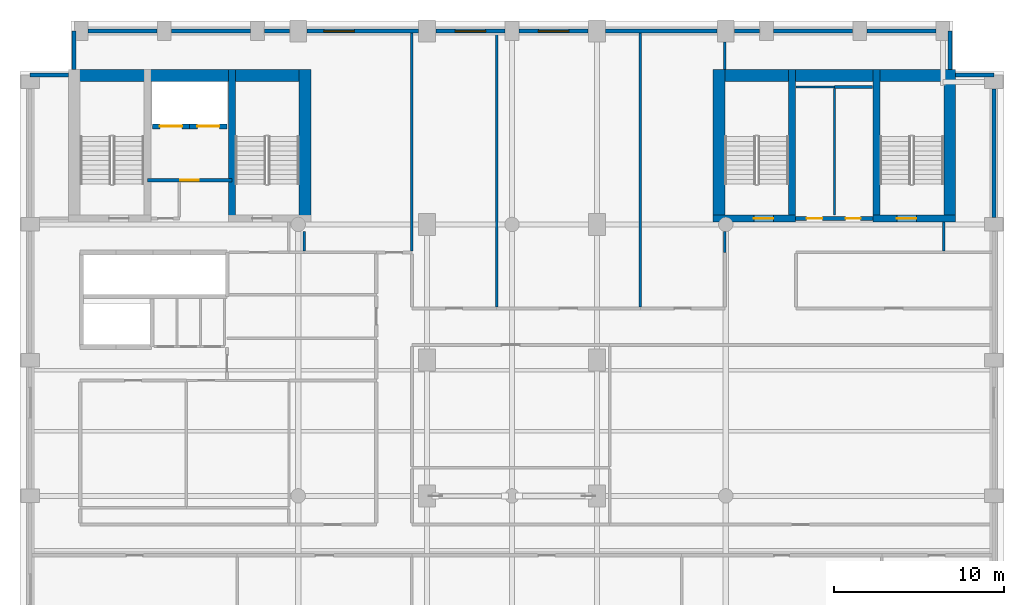
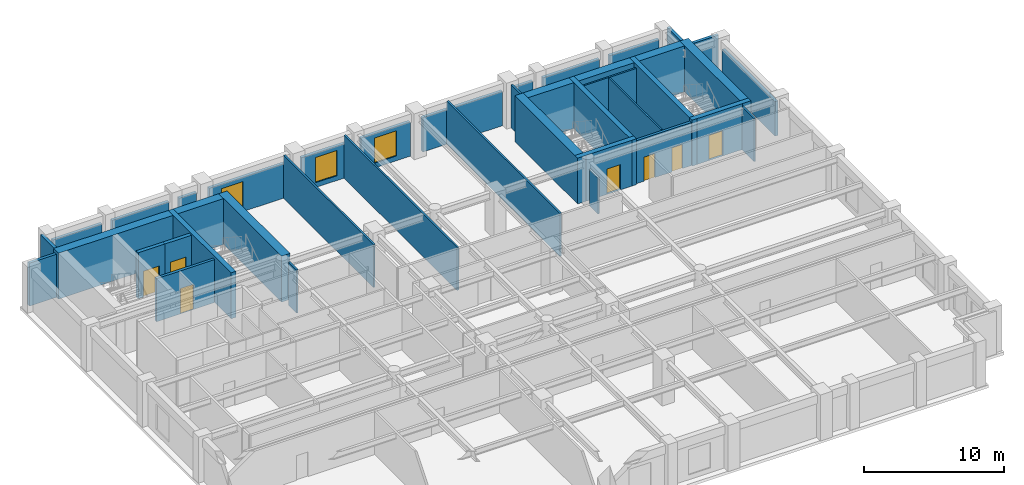
# One storey, part 7 of 10: 39 walls, 7 doors, 3 windows, 10 openings.
"""IFC4 building model written with IfcOpenShell, lengths in metres."""

import ifcopenshell
import ifcopenshell.guid

model = None  # the IFC model being written
_history = None  # IfcOwnerHistory: only IFC2X3 demands one
_inside = {}  # id of a spatial element -> (the spatial element, [elements in it])
_under = {}  # id of a project, library or spatial element -> (it, [spatial elements below it])
_declared = {}  # id of a project -> (the project, [libraries it declares])
_typed = {}  # id of a type object -> (the type object, [elements of that type])
_made_of = {}  # id of a material, layer set ... -> (it, [elements and type objects made of it])


def new_model(schema):
    """Start an empty IFC model of exactly this schema.

    Asked for "IFC4X3", IfcOpenShell would pick the latest addendum, in which some entities
    have other attributes; the version numbers below select the first issue.
    IFC2X3 requires an IfcOwnerHistory on every rooted entity: one is made here for all.
    """
    global model, _history
    if schema == "IFC4X3":
        model = ifcopenshell.file(schema_version=(4, 3, 0, 0))
    else:
        model = ifcopenshell.file(schema=schema)
    _inside.clear()
    _under.clear()
    _declared.clear()
    _typed.clear()
    _made_of.clear()
    _history = None
    if model.schema == "IFC2X3":
        org = make("IfcOrganization", Name="unknown")
        user = make(
            "IfcPersonAndOrganization",
            ThePerson=make("IfcPerson", FamilyName="unknown"),
            TheOrganization=org,
        )
        app = make(
            "IfcApplication",
            ApplicationDeveloper=org,
            Version="unknown",
            ApplicationFullName="unknown",
            ApplicationIdentifier="unknown",
        )
        _history = make(
            "IfcOwnerHistory",
            OwningUser=user,
            OwningApplication=app,
            ChangeAction="ADDED",
            CreationDate=0,
        )
    return model


def make(cls, **values):
    """One entity of the class cls with the attributes given. An attribute that is None is left unset."""
    return model.create_entity(
        cls, **{name: value for name, value in values.items() if value is not None}
    )


def rooted(cls, **values):
    """An entity with a GlobalId (a new one), such as an element, a storey or a relation."""
    return make(cls, GlobalId=ifcopenshell.guid.new(), OwnerHistory=_history, **values)


def si_unit(unit_type, name, prefix=None):
    """IfcSIUnit, for example si_unit("LENGTHUNIT", "METRE", prefix="MILLI")."""
    return make("IfcSIUnit", UnitType=unit_type, Prefix=prefix, Name=name)


def assignment(units):
    """IfcUnitAssignment: the units of a project."""
    return None if units is None else make("IfcUnitAssignment", Units=units)


def point(xyz):
    """IfcCartesianPoint."""
    return None if xyz is None else make("IfcCartesianPoint", Coordinates=xyz)


def direction(xyz):
    """IfcDirection."""
    return None if xyz is None else make("IfcDirection", DirectionRatios=xyz)


def frame(location, z_axis=None, x_axis=None):
    """IfcAxis2Placement3D, a coordinate frame: its origin and axes. An axis left out is left unset."""
    return make(
        "IfcAxis2Placement3D",
        Location=point(location),
        Axis=direction(z_axis),
        RefDirection=direction(x_axis),
    )


def frame_2d(location, x_axis=None):
    """IfcAxis2Placement2D, a coordinate frame in the plane: its origin and x axis."""
    return make(
        "IfcAxis2Placement2D", Location=point(location), RefDirection=direction(x_axis)
    )


def origin():
    """The frame at (0, 0, 0) with its axes left unset."""
    return frame((0.0, 0.0, 0.0))


def place(relative_to, where):
    """IfcLocalPlacement: puts the frame where relative to a parent placement (None: the world)."""
    return make(
        "IfcLocalPlacement", PlacementRelTo=relative_to, RelativePlacement=where
    )


def context(
    kind, dimensions, precision=None, world=None, true_north=None, identifier=None
):
    """IfcGeometricRepresentationContext, for example the 3D "Model" context."""
    return make(
        "IfcGeometricRepresentationContext",
        ContextIdentifier=identifier,
        ContextType=kind,
        CoordinateSpaceDimension=dimensions,
        Precision=precision,
        WorldCoordinateSystem=world,
        TrueNorth=true_north,
    )


def subcontext(parent, identifier, kind, view, scale=None):
    """IfcGeometricRepresentationSubContext, for example "Body" below "Model"."""
    return make(
        "IfcGeometricRepresentationSubContext",
        ContextIdentifier=identifier,
        ContextType=kind,
        ParentContext=parent,
        TargetScale=scale,
        TargetView=view,
    )


def project(units=None, contexts=None):
    """IfcProject with its units and contexts."""
    return rooted(
        "IfcProject",
        Name="project",
        RepresentationContexts=contexts,
        UnitsInContext=assignment(units),
    )


def spatial(cls, under=None, at=None, **own):
    """A site, building, storey or space (cls), placed at a placement, below another one or the project."""
    s = rooted(cls, ObjectPlacement=at, **own)
    if under is not None:
        _under.setdefault(under.id(), (under, []))[1].append(s)
    return s


def profile(cls, at=None, kind="AREA", **sizes):
    """A parametric profile (cls). Its sizes go by their IFC names, for example OverallWidth=200.0."""
    return make(cls, ProfileType=kind, Position=at, **sizes)


def rectangle(**sizes):
    """IfcRectangleProfileDef."""
    return profile("IfcRectangleProfileDef", **sizes)


def extrude(swept, where, along, depth):
    """IfcExtrudedAreaSolid: the profile swept, set in the frame where, extruded along a direction by depth."""
    return make(
        "IfcExtrudedAreaSolid",
        SweptArea=swept,
        Position=where,
        ExtrudedDirection=direction(along),
        Depth=depth,
    )


def shape(context_of_items, identifier, shape_type, items):
    """IfcShapeRepresentation: the items that make up one representation, for example the "Body"."""
    return make(
        "IfcShapeRepresentation",
        ContextOfItems=context_of_items,
        RepresentationIdentifier=identifier,
        RepresentationType=shape_type,
        Items=items,
    )


def material(Name=None, Category=None):
    """IfcMaterial."""
    return make("IfcMaterial", Name=Name, Category=Category)


def layer(
    of_material, thickness, ventilated=None, Name=None, Category=None, Priority=None
):
    """IfcMaterialLayer: one layer of a wall or slab, of a material (None: an air gap)."""
    return make(
        "IfcMaterialLayer",
        Material=of_material,
        LayerThickness=thickness,
        IsVentilated=ventilated,
        Name=Name,
        Category=Category,
        Priority=Priority,
    )


def layer_set(layers, Name=None):
    """IfcMaterialLayerSet."""
    return make("IfcMaterialLayerSet", MaterialLayers=layers, LayerSetName=Name)


def made_of(thing, what):
    """Note that an element or type object is made of a material, layer set ...; save() writes the relation."""
    if what is not None:
        _made_of.setdefault(what.id(), (what, []))[1].append(thing)
    return thing


def type_object(cls, material=None, **own):
    """A type object (cls), such as IfcWallType, which elements share."""
    return made_of(rooted(cls, **own), material)


def element(
    cls,
    number,
    at=None,
    inside=None,
    cuts=None,
    type_object=None,
    material=None,
    context=None,
    identifier="Body",
    shape_type=None,
    held_by="IfcProductDefinitionShape",
    body=None,
    shapes=None,
    **own,
):
    """One element of the class cls, such as IfcWall. Its Tag is "e" and its number.

    at: its placement. inside: the storey or other place that contains it. cuts: it is an
    opening in that element (IfcRelVoidsElement). A single representation is given by context,
    identifier, shape_type and body (its items); several are given by shapes. held_by: the class
    of the entity that holds the representations. save() writes the other relations.
    """
    e = rooted(cls, Tag="e%d" % number, ObjectPlacement=at, **own)
    if body is not None:
        shapes = [shape(context, identifier, shape_type, body)]
    if shapes is not None:
        e.Representation = make(held_by, Representations=shapes)
    if inside is not None:
        _inside.setdefault(inside.id(), (inside, []))[1].append(e)
    if cuts is not None:
        rooted(
            "IfcRelVoidsElement", RelatingBuildingElement=cuts, RelatedOpeningElement=e
        )
    if type_object is not None:
        _typed.setdefault(type_object.id(), (type_object, []))[1].append(e)
    return made_of(e, material)


def fill(opening, filler):
    """IfcRelFillsElement: the door or window that sits in an opening."""
    return rooted(
        "IfcRelFillsElement",
        RelatingOpeningElement=opening,
        RelatedBuildingElement=filler,
    )


def aggregate(whole, parts):
    """IfcRelAggregates: a whole, such as a stair, and the parts it consists of."""
    return rooted("IfcRelAggregates", RelatingObject=whole, RelatedObjects=parts)


def save(model, path):
    """Write the relations noted so far, then the file.

    IfcRelAggregates (storeys below a building ...), IfcRelContainedInSpatialStructure (elements
    in a storey), IfcRelDefinesByType, IfcRelAssociatesMaterial and IfcRelDeclares: one each for
    every whole, place, type object, material and project.
    """
    for whole, parts in _under.values():
        aggregate(whole, parts)
    for where, things in _inside.values():
        rooted(
            "IfcRelContainedInSpatialStructure",
            RelatedElements=things,
            RelatingStructure=where,
        )
    for kind, things in _typed.values():
        rooted("IfcRelDefinesByType", RelatedObjects=things, RelatingType=kind)
    for what, things in _made_of.values():
        rooted("IfcRelAssociatesMaterial", RelatedObjects=things, RelatingMaterial=what)
    for by, libraries in _declared.values():
        rooted("IfcRelDeclares", RelatingContext=by, RelatedDefinitions=libraries)
    model.write(path)


model = new_model("IFC4")

# Units and contexts
model_context = context("Model", 3, precision=1e-05, world=origin(), true_north=direction((0.0, 1.0)))
body_context = subcontext(model_context, "Body", "Model", "MODEL_VIEW")
ifc_project = project(units=[si_unit("LENGTHUNIT", "METRE"), si_unit("AREAUNIT", "SQUARE_METRE"), si_unit("VOLUMEUNIT", "CUBIC_METRE"), si_unit("PLANEANGLEUNIT", "RADIAN"), si_unit("MASSUNIT", "GRAM", prefix="KILO")], contexts=[model_context])

# Site, building, storey
site_placement = place(None, origin())
site = spatial("IfcSite", under=ifc_project, at=site_placement, CompositionType="ELEMENT")
building_placement = place(site_placement, origin())
building = spatial("IfcBuilding", under=site, at=building_placement, Name="Sulina Concourse Tower", CompositionType="ELEMENT")
storey_placement = place(building_placement, frame((0.0, 0.0, 214.60009765625)))
storey = spatial("IfcBuildingStorey", under=building, at=storey_placement, Name="L52", CompositionType="ELEMENT", Elevation=214.60009765625)

# Wall, opening, door
ifc_material_1 = material(Name="Concrete C50/60", Category="concrete")
ifc_layer_1 = layer(ifc_material_1, 0.300048828125)
ifc_layer_set_1 = layer_set([ifc_layer_1], Name="Concrete C50/60")
wall_type_1 = type_object("IfcWallType", Name="Core Lift Hoistway Wall 300mm", PredefinedType="SOLIDWALL", material=ifc_layer_set_1)
wall_1_placement = place(storey_placement, frame((10.0, 39.780029296875, 0.0), z_axis=(0.0, 0.0, 1.0), x_axis=(-1.0, 0.0, 0.0)))
wall_1 = element("IfcWall", 1, at=wall_1_placement, inside=storey, type_object=wall_type_1, Name="L52 hoistway enclosure wall FFL-1", PredefinedType="SOLIDWALL", context=body_context, shape_type="SweptSolid", body=[
    extrude(rectangle(XDim=2.199951171875, YDim=0.300048828125, at=frame_2d((1.10009765625, 0.0))), origin(), (0.0, 0.0, 1.0), 4.0),
])
opening_1_placement = place(wall_1_placement, frame((0.449951171875, 0.0, 0.0)))
opening_1 = element("IfcOpeningElement", 2, at=opening_1_placement, cuts=wall_1, Name="Opening LD-02", PredefinedType="OPENING", context=body_context, shape_type="SweptSolid", body=[
    extrude(rectangle(XDim=1.300048828125, YDim=2.25, at=frame_2d((0.64990234375, 1.125))), frame((0.0, 0.159912109375, 0.0), z_axis=(0.0, -1.0, 0.0), x_axis=(1.0, 0.0, 0.0)), (0.0, 0.0, 1.0), 0.320068359375),
])
ifc_material_2 = material(Name="Stainless steel lift landing door", Category="steel")
ifc_layer_2 = layer(ifc_material_2, 0.050048828125)
ifc_layer_set_2 = layer_set([ifc_layer_2], Name="Stainless steel lift landing door")
door_type_1 = type_object("IfcDoorType", Name="Firefighting Lift Sliding Landing Door 1300x2250", OperationType="SLIDING_TO_RIGHT", PredefinedType="DOOR", material=ifc_layer_set_2)
door_1_placement = place(opening_1_placement, origin())
door_1 = element("IfcDoor", 3, at=door_1_placement, inside=storey, type_object=door_type_1, Name="L52 lift landing sliding door FFL-1", OperationType="SLIDING_TO_LEFT", OverallHeight=2.25, OverallWidth=1.300048828125, PredefinedType="DOOR", context=body_context, shape_type="SweptSolid", body=[
    extrude(rectangle(XDim=1.300048828125, YDim=2.25, at=frame_2d((0.64990234375, 1.125))), frame((0.0, 0.02490234375, 0.0), z_axis=(0.0, -1.0, 0.0), x_axis=(1.0, 0.0, 0.0)), (0.0, 0.0, 1.0), 0.050048828125),
])
fill(opening_1, door_1)

wall_2_placement = place(storey_placement, frame((12.199951171875, 39.780029296875, 0.0), z_axis=(0.0, 0.0, 1.0), x_axis=(-1.0, 0.0, 0.0)))
wall_2 = element("IfcWall", 4, at=wall_2_placement, inside=storey, type_object=wall_type_1, Name="L52 hoistway enclosure wall FFL-2", PredefinedType="SOLIDWALL", context=body_context, shape_type="SweptSolid", body=[
    extrude(rectangle(XDim=2.199951171875, YDim=0.300048828125, at=frame_2d((1.10009765625, 0.0))), origin(), (0.0, 0.0, 1.0), 4.0),
])
opening_2_placement = place(wall_2_placement, frame((0.449951171875, 0.0, 0.0)))
opening_2 = element("IfcOpeningElement", 5, at=opening_2_placement, cuts=wall_2, Name="Opening LD-02", PredefinedType="OPENING", context=body_context, shape_type="SweptSolid", body=[
    extrude(rectangle(XDim=1.300048828125, YDim=2.25, at=frame_2d((0.64990234375, 1.125))), frame((0.0, 0.159912109375, 0.0), z_axis=(0.0, -1.0, 0.0), x_axis=(1.0, 0.0, 0.0)), (0.0, 0.0, 1.0), 0.320068359375),
])
door_2_placement = place(opening_2_placement, origin())
door_2 = element("IfcDoor", 6, at=door_2_placement, inside=storey, type_object=door_type_1, Name="L52 lift landing sliding door FFL-2", OperationType="SLIDING_TO_RIGHT", OverallHeight=2.25, OverallWidth=1.300048828125, PredefinedType="DOOR", context=body_context, shape_type="SweptSolid", body=[
    extrude(rectangle(XDim=1.300048828125, YDim=2.25, at=frame_2d((0.64990234375, 1.125))), frame((0.0, 0.02490234375, 0.0), z_axis=(0.0, -1.0, 0.0), x_axis=(1.0, 0.0, 0.0)), (0.0, 0.0, 1.0), 0.050048828125),
])
fill(opening_2, door_2)

# Walls
ifc_material_3 = material(Name="Precast concrete C50/60", Category="concrete")
ifc_layer_3 = layer(ifc_material_3, 0.239990234375)
ifc_layer_set_3 = layer_set([ifc_layer_3], Name="Precast concrete C50/60")
wall_type_2 = type_object("IfcWallType", Name="Crown Precast Masonry-Frame Facade Wall 240mm", PredefinedType="SOLIDWALL", material=ifc_layer_set_3)
wall_3_placement = place(storey_placement, frame((4.02001953125, 45.39990234375, 0.0), z_axis=(0.0, 0.0, 1.0), x_axis=(1.0, 0.0, 0.0)))
element("IfcWall", 7, at=wall_3_placement, inside=storey, type_object=wall_type_2, Name="L52 exterior precast wall N1", PredefinedType="SOLIDWALL", context=body_context, shape_type="SweptSolid", body=[
    extrude(rectangle(XDim=4.06005859375, YDim=0.239990234375, at=frame_2d((2.030029296875, 0.0))), origin(), (0.0, 0.0, 1.0), 3.0),
])
wall_4_placement = place(storey_placement, frame((8.919921875, 45.39990234375, 0.0), z_axis=(0.0, 0.0, 1.0), x_axis=(1.0, 0.0, 0.0)))
element("IfcWall", 8, at=wall_4_placement, inside=storey, type_object=wall_type_2, Name="L52 exterior precast wall N2", PredefinedType="SOLIDWALL", context=body_context, shape_type="SweptSolid", body=[
    extrude(rectangle(XDim=4.66015625, YDim=0.239990234375, at=frame_2d((2.330078125, 0.0))), origin(), (0.0, 0.0, 1.0), 3.0),
])
wall_5_placement = place(storey_placement, frame((14.419921875, 45.39990234375, 0.0), z_axis=(0.0, 0.0, 1.0), x_axis=(1.0, 0.0, 0.0)))
element("IfcWall", 9, at=wall_5_placement, inside=storey, type_object=wall_type_2, Name="L52 exterior precast wall N3", PredefinedType="SOLIDWALL", context=body_context, shape_type="SweptSolid", body=[
    extrude(rectangle(XDim=1.4599609375, YDim=0.239990234375, at=frame_2d((0.72998046875, 0.0))), origin(), (0.0, 0.0, 1.0), 3.0),
])

# Wall, opening, window
wall_6_placement = place(storey_placement, frame((16.919921875, 45.39990234375, 0.0), z_axis=(0.0, 0.0, 1.0), x_axis=(1.0, 0.0, 0.0)))
wall_6 = element("IfcWall", 10, at=wall_6_placement, inside=storey, type_object=wall_type_2, Name="L52 exterior precast wall N4", PredefinedType="SOLIDWALL", context=body_context, shape_type="SweptSolid", body=[
    extrude(rectangle(XDim=6.56005859375, YDim=0.239990234375, at=frame_2d((3.280029296875, 0.0))), origin(), (0.0, 0.0, 1.0), 3.0),
])
opening_3_placement = place(wall_6_placement, frame((0.98681640625, 0.0, 0.419921875)))
opening_3 = element("IfcOpeningElement", 11, at=opening_3_placement, cuts=wall_6, Name="Opening WN-25", PredefinedType="OPENING", context=body_context, shape_type="SweptSolid", body=[
    extrude(rectangle(XDim=1.800048828125, YDim=2.199951171875, at=frame_2d((0.89990234375, 1.10009765625))), frame((0.0, 0.1298828125, 0.0), z_axis=(0.0, -1.0, 0.0), x_axis=(1.0, 0.0, 0.0)), (0.0, 0.0, 1.0), 0.260009765625),
])
ifc_material_4 = material(Name="Low-E solar double glazing in bronze aluminium", Category="aluminium")
window_type = type_object("IfcWindowType", Name="Punched Masonry-Frame Window 1800x2200", PartitioningType="SINGLE_PANEL", PredefinedType="WINDOW", material=ifc_material_4)
window_1_placement = place(opening_3_placement, origin())
window_1 = element("IfcWindow", 12, at=window_1_placement, inside=storey, type_object=window_type, Name="L52 punched window N4-1", OverallHeight=2.199951171875, OverallWidth=1.800048828125, PartitioningType="SINGLE_PANEL", PredefinedType="WINDOW", context=body_context, shape_type="SweptSolid", body=[
    extrude(rectangle(XDim=1.800048828125, YDim=2.199951171875, at=frame_2d((0.89990234375, 1.10009765625))), frame((0.0, 0.030029296875, 0.0), z_axis=(0.0, -1.0, 0.0), x_axis=(1.0, 0.0, 0.0)), (0.0, 0.0, 1.0), 0.06005859375),
])
fill(opening_3, window_1)

wall_7_placement = place(storey_placement, frame((24.52001953125, 45.39990234375, 0.0), z_axis=(0.0, 0.0, 1.0), x_axis=(1.0, 0.0, 0.0)))
wall_7 = element("IfcWall", 13, at=wall_7_placement, inside=storey, type_object=wall_type_2, Name="L52 exterior precast wall N5", PredefinedType="SOLIDWALL", context=body_context, shape_type="SweptSolid", body=[
    extrude(rectangle(XDim=4.06005859375, YDim=0.239990234375, at=frame_2d((2.030029296875, 0.0))), origin(), (0.0, 0.0, 1.0), 3.0),
])
opening_4_placement = place(wall_7_placement, frame((1.1298828125, 0.0, 0.419921875)))
opening_4 = element("IfcOpeningElement", 14, at=opening_4_placement, cuts=wall_7, Name="Opening WN-25", PredefinedType="OPENING", context=body_context, shape_type="SweptSolid", body=[
    extrude(rectangle(XDim=1.800048828125, YDim=2.199951171875, at=frame_2d((0.89990234375, 1.10009765625))), frame((0.0, 0.1298828125, 0.0), z_axis=(0.0, -1.0, 0.0), x_axis=(1.0, 0.0, 0.0)), (0.0, 0.0, 1.0), 0.260009765625),
])
window_2_placement = place(opening_4_placement, origin())
window_2 = element("IfcWindow", 15, at=window_2_placement, inside=storey, type_object=window_type, Name="L52 punched window N5-1", OverallHeight=2.199951171875, OverallWidth=1.800048828125, PartitioningType="SINGLE_PANEL", PredefinedType="WINDOW", context=body_context, shape_type="SweptSolid", body=[
    extrude(rectangle(XDim=1.800048828125, YDim=2.199951171875, at=frame_2d((0.89990234375, 1.10009765625))), frame((0.0, 0.030029296875, 0.0), z_axis=(0.0, -1.0, 0.0), x_axis=(1.0, 0.0, 0.0)), (0.0, 0.0, 1.0), 0.06005859375),
])
fill(opening_4, window_2)

wall_8_placement = place(storey_placement, frame((29.419921875, 45.39990234375, 0.0), z_axis=(0.0, 0.0, 1.0), x_axis=(1.0, 0.0, 0.0)))
wall_8 = element("IfcWall", 16, at=wall_8_placement, inside=storey, type_object=wall_type_2, Name="L52 exterior precast wall N6", PredefinedType="SOLIDWALL", context=body_context, shape_type="SweptSolid", body=[
    extrude(rectangle(XDim=4.06005859375, YDim=0.239990234375, at=frame_2d((2.030029296875, 0.0))), origin(), (0.0, 0.0, 1.0), 3.0),
])
opening_5_placement = place(wall_8_placement, frame((1.1298828125, 0.0, 0.419921875)))
opening_5 = element("IfcOpeningElement", 17, at=opening_5_placement, cuts=wall_8, Name="Opening WN-25", PredefinedType="OPENING", context=body_context, shape_type="SweptSolid", body=[
    extrude(rectangle(XDim=1.800048828125, YDim=2.199951171875, at=frame_2d((0.89990234375, 1.10009765625))), frame((0.0, 0.1298828125, 0.0), z_axis=(0.0, -1.0, 0.0), x_axis=(1.0, 0.0, 0.0)), (0.0, 0.0, 1.0), 0.260009765625),
])
window_3_placement = place(opening_5_placement, origin())
window_3 = element("IfcWindow", 18, at=window_3_placement, inside=storey, type_object=window_type, Name="L52 punched window N6-1", OverallHeight=2.199951171875, OverallWidth=1.800048828125, PartitioningType="SINGLE_PANEL", PredefinedType="WINDOW", context=body_context, shape_type="SweptSolid", body=[
    extrude(rectangle(XDim=1.800048828125, YDim=2.199951171875, at=frame_2d((0.89990234375, 1.10009765625))), frame((0.0, 0.030029296875, 0.0), z_axis=(0.0, -1.0, 0.0), x_axis=(1.0, 0.0, 0.0)), (0.0, 0.0, 1.0), 0.06005859375),
])
fill(opening_5, window_3)

# Walls
wall_9_placement = place(storey_placement, frame((34.52001953125, 45.39990234375, 0.0), z_axis=(0.0, 0.0, 1.0), x_axis=(1.0, 0.0, 0.0)))
element("IfcWall", 19, at=wall_9_placement, inside=storey, type_object=wall_type_2, Name="L52 exterior precast wall N7", PredefinedType="SOLIDWALL", context=body_context, shape_type="SweptSolid", body=[
    extrude(rectangle(XDim=6.56005859375, YDim=0.239990234375, at=frame_2d((3.280029296875, 0.0))), origin(), (0.0, 0.0, 1.0), 3.0),
])
wall_10_placement = place(storey_placement, frame((42.1201171875, 45.39990234375, 0.0), z_axis=(0.0, 0.0, 1.0), x_axis=(1.0, 0.0, 0.0)))
element("IfcWall", 20, at=wall_10_placement, inside=storey, type_object=wall_type_2, Name="L52 exterior precast wall N8", PredefinedType="SOLIDWALL", context=body_context, shape_type="SweptSolid", body=[
    extrude(rectangle(XDim=1.4599609375, YDim=0.239990234375, at=frame_2d((0.72998046875, 0.0))), origin(), (0.0, 0.0, 1.0), 3.0),
])
wall_11_placement = place(storey_placement, frame((44.419921875, 45.39990234375, 0.0), z_axis=(0.0, 0.0, 1.0), x_axis=(1.0, 0.0, 0.0)))
element("IfcWall", 21, at=wall_11_placement, inside=storey, type_object=wall_type_2, Name="L52 exterior precast wall N9", PredefinedType="SOLIDWALL", context=body_context, shape_type="SweptSolid", body=[
    extrude(rectangle(XDim=4.66015625, YDim=0.239990234375, at=frame_2d((2.330078125, 0.0))), origin(), (0.0, 0.0, 1.0), 3.0),
])
wall_12_placement = place(storey_placement, frame((49.919921875, 45.39990234375, 0.0), z_axis=(0.0, 0.0, 1.0), x_axis=(1.0, 0.0, 0.0)))
element("IfcWall", 22, at=wall_12_placement, inside=storey, type_object=wall_type_2, Name="L52 exterior precast wall N10", PredefinedType="SOLIDWALL", context=body_context, shape_type="SweptSolid", body=[
    extrude(rectangle(XDim=4.06005859375, YDim=0.239990234375, at=frame_2d((2.030029296875, 0.0))), origin(), (0.0, 0.0, 1.0), 3.0),
])
wall_13_placement = place(storey_placement, frame((57.39990234375, 41.97998046875, 0.0), z_axis=(0.0, 0.0, 1.0), x_axis=(0.0, -1.0, 0.0)))
element("IfcWall", 23, at=wall_13_placement, inside=storey, type_object=wall_type_2, Name="L52 exterior precast wall E5", PredefinedType="SOLIDWALL", context=body_context, shape_type="SweptSolid", body=[
    extrude(rectangle(XDim=7.56005859375, YDim=0.239990234375, at=frame_2d((3.780029296875, 0.0))), origin(), (0.0, 0.0, 1.0), 3.0),
])
wall_14_placement = place(storey_placement, frame((0.60009765625, 42.820068359375, 0.0), z_axis=(0.0, 0.0, 1.0), x_axis=(1.0, 0.0, 0.0)))
element("IfcWall", 24, at=wall_14_placement, inside=storey, type_object=wall_type_2, Name="L52 exterior precast wall CNW1", PredefinedType="SOLIDWALL", context=body_context, shape_type="SweptSolid", body=[
    extrude(rectangle(XDim=2.244873046875, YDim=0.239990234375, at=frame_2d((1.12255859375, 0.0))), origin(), (0.0, 0.0, 1.0), 3.75),
])
for number, where, z_axis, x_axis, name in (
    (25, (3.179931640625, 43.135009765625, 0.0), (0.0, 0.0, 1.0), (0.0, 1.0, 0.0), "L52 exterior precast wall CNW2"),
    (26, (54.820068359375, 45.39990234375, 0.0), (0.0, 0.0, 1.0), (0.0, -1.0, 0.0), "L52 exterior precast wall CNE1"),
):
    element("IfcWall", number, at=place(storey_placement, frame(where, z_axis=z_axis, x_axis=x_axis)), inside=storey, type_object=wall_type_2, Name=name, PredefinedType="SOLIDWALL", context=body_context, shape_type="SweptSolid", body=[
        extrude(rectangle(XDim=2.264892578125, YDim=0.239990234375, at=frame_2d((1.13232421875, 0.0))), origin(), (0.0, 0.0, 1.0), 3.75),
    ])
wall_15_placement = place(storey_placement, frame((55.155029296875, 42.820068359375, 0.0), z_axis=(0.0, 0.0, 1.0), x_axis=(1.0, 0.0, 0.0)))
element("IfcWall", 27, at=wall_15_placement, inside=storey, type_object=wall_type_2, Name="L52 exterior precast wall CNE2", PredefinedType="SOLIDWALL", context=body_context, shape_type="SweptSolid", body=[
    extrude(rectangle(XDim=2.244873046875, YDim=0.239990234375, at=frame_2d((1.12255859375, 0.0))), origin(), (0.0, 0.0, 1.0), 3.75),
])

# Wall, opening, door
ifc_material_5 = material(Name="Gypsum board on steel stud", Category="steel")
ifc_layer_4 = layer(ifc_material_5, 0.219970703125)
ifc_layer_set_4 = layer_set([ifc_layer_4], Name="Gypsum board on steel stud")
wall_type_3 = type_object("IfcWallType", Name="Fire-Rated Lobby & Compartment Wall 220mm", PredefinedType="PARTITIONING", material=ifc_layer_set_4)
wall_16_placement = place(storey_placement, frame((7.510009765625, 36.60009765625, 0.0), z_axis=(0.0, 0.0, 1.0), x_axis=(1.0, 0.0, 0.0)))
wall_16 = element("IfcWall", 28, at=wall_16_placement, inside=storey, type_object=wall_type_3, Name="L52 firefighting lobby south fire wall", PredefinedType="PARTITIONING", context=body_context, shape_type="SweptSolid", body=[
    extrude(rectangle(XDim=4.97998046875, YDim=0.219970703125, at=frame_2d((2.489990234375, 0.0))), origin(), (0.0, 0.0, 1.0), 3.75),
])
opening_6_placement = place(wall_16_placement, frame((1.93994140625, 0.0, 0.0)))
opening_6 = element("IfcOpeningElement", 29, at=opening_6_placement, cuts=wall_16, Name="Opening DR-47", PredefinedType="OPENING", context=body_context, shape_type="SweptSolid", body=[
    extrude(rectangle(XDim=1.10009765625, YDim=2.199951171875, at=frame_2d((0.550048828125, 1.10009765625))), frame((0.0, 0.119873046875, 0.0), z_axis=(0.0, -1.0, 0.0), x_axis=(1.0, 0.0, 0.0)), (0.0, 0.0, 1.0), 0.239990234375),
])
ifc_material_6 = material(Name="Galvanised steel acoustic fire leaf", Category="steel")
ifc_layer_5 = layer(ifc_material_6, 0.054931640625)
ifc_layer_set_5 = layer_set([ifc_layer_5], Name="Galvanised steel acoustic fire leaf")
door_type_2 = type_object("IfcDoorType", Name="Firefighting Lobby Fire Door 1100x2200", OperationType="NOTDEFINED", PredefinedType="DOOR", material=ifc_layer_set_5)
door_3_placement = place(opening_6_placement, origin())
door_3 = element("IfcDoor", 30, at=door_3_placement, inside=storey, type_object=door_type_2, Name="L52 firefighting lobby fire door", OperationType="SINGLE_SWING_LEFT", OverallHeight=2.199951171875, OverallWidth=1.10009765625, PredefinedType="DOOR", context=body_context, shape_type="SweptSolid", body=[
    extrude(rectangle(XDim=1.10009765625, YDim=2.199951171875, at=frame_2d((0.550048828125, 1.10009765625))), frame((0.0, 0.02490234375, 0.0), z_axis=(0.0, -1.0, 0.0), x_axis=(1.0, 0.0, 0.0)), (0.0, 0.0, 1.0), 0.050048828125),
])
fill(opening_6, door_3)

# Wall, openings, doors
wall_17_placement = place(storey_placement, frame((45.719970703125, 34.35009765625, 0.0), z_axis=(0.0, 0.0, 1.0), x_axis=(1.0, 0.0, 0.0)))
wall_17 = element("IfcWall", 31, at=wall_17_placement, inside=storey, type_object=wall_type_3, Name="L52 east core south lobby wall", PredefinedType="PARTITIONING", context=body_context, shape_type="SweptSolid", body=[
    extrude(rectangle(XDim=4.56005859375, YDim=0.219970703125, at=frame_2d((2.280029296875, 0.0))), origin(), (0.0, 0.0, 1.0), 3.75),
])
opening_7_placement = place(wall_17_placement, frame((0.64990234375, 0.0, 0.0)))
opening_7 = element("IfcOpeningElement", 32, at=opening_7_placement, cuts=wall_17, Name="Opening DR-61", PredefinedType="OPENING", context=body_context, shape_type="SweptSolid", body=[
    extrude(rectangle(XDim=0.919921875, YDim=2.10009765625, at=frame_2d((0.4599609375, 1.050048828125))), frame((0.0, 0.119873046875, 0.0), z_axis=(0.0, -1.0, 0.0), x_axis=(1.0, 0.0, 0.0)), (0.0, 0.0, 1.0), 0.239990234375),
])
opening_8_placement = place(wall_17_placement, frame((2.949951171875, 0.0, 0.0)))
opening_8 = element("IfcOpeningElement", 33, at=opening_8_placement, cuts=wall_17, Name="Opening DR-38", PredefinedType="OPENING", context=body_context, shape_type="SweptSolid", body=[
    extrude(rectangle(XDim=0.8798828125, YDim=2.10009765625, at=frame_2d((0.43994140625, 1.050048828125))), frame((0.0, 0.119873046875, 0.0), z_axis=(0.0, -1.0, 0.0), x_axis=(1.0, 0.0, 0.0)), (0.0, 0.0, 1.0), 0.239990234375),
])
ifc_material_7 = material(Name="Oak-veneered fire door leaf")
ifc_layer_6 = layer(ifc_material_7, 0.050048828125)
ifc_layer_set_6 = layer_set([ifc_layer_6], Name="Oak-veneered fire door leaf")
door_type_3 = type_object("IfcDoorType", Name="Accessible WC Door 920x2100", OperationType="NOTDEFINED", PredefinedType="DOOR", material=ifc_layer_set_6)
door_4_placement = place(opening_7_placement, origin())
door_4 = element("IfcDoor", 34, at=door_4_placement, inside=storey, type_object=door_type_3, Name="L52 east core accessible wc door", OperationType="SINGLE_SWING_LEFT", OverallHeight=2.10009765625, OverallWidth=0.919921875, PredefinedType="DOOR", context=body_context, shape_type="SweptSolid", body=[
    extrude(rectangle(XDim=0.919921875, YDim=2.10009765625, at=frame_2d((0.4599609375, 1.050048828125))), frame((0.0, 0.02490234375, 0.0), z_axis=(0.0, -1.0, 0.0), x_axis=(1.0, 0.0, 0.0)), (0.0, 0.0, 1.0), 0.050048828125),
])
fill(opening_7, door_4)
ifc_material_8 = material(Name="Galvanised steel acoustic fire leaf", Category="steel")
ifc_layer_7 = layer(ifc_material_8, 0.050048828125)
ifc_layer_set_7 = layer_set([ifc_layer_7], Name="Galvanised steel acoustic fire leaf")
door_type_4 = type_object("IfcDoorType", Name="Service Riser Fire Door 880x2100", OperationType="NOTDEFINED", PredefinedType="DOOR", material=ifc_layer_set_7)
door_5_placement = place(opening_8_placement, origin())
door_5 = element("IfcDoor", 35, at=door_5_placement, inside=storey, type_object=door_type_4, Name="L52 east core store door", OperationType="SINGLE_SWING_RIGHT", OverallHeight=2.10009765625, OverallWidth=0.8798828125, PredefinedType="DOOR", context=body_context, shape_type="SweptSolid", body=[
    extrude(rectangle(XDim=0.8798828125, YDim=2.10009765625, at=frame_2d((0.43994140625, 1.050048828125))), frame((0.0, 0.02490234375, 0.0), z_axis=(0.0, -1.0, 0.0), x_axis=(1.0, 0.0, 0.0)), (0.0, 0.0, 1.0), 0.050048828125),
])
fill(opening_8, door_5)

# Walls
ifc_material_9 = material(Name="Gypsum board on steel stud", Category="steel")
ifc_layer_8 = layer(ifc_material_9, 0.14990234375)
ifc_layer_set_8 = layer_set([ifc_layer_8], Name="Gypsum board on steel stud")
wall_type_4 = type_object("IfcWallType", Name="Inter-Tenancy Acoustic Partition 150mm", PredefinedType="PARTITIONING", material=ifc_layer_set_8)
wall_18_placement = place(storey_placement, frame((48.0, 42.10009765625, 0.0), z_axis=(0.0, 0.0, 1.0), x_axis=(1.0, 0.0, 0.0)))
element("IfcWall", 36, at=wall_18_placement, inside=storey, type_object=wall_type_4, Name="L52 interior partition 037", PredefinedType="PARTITIONING", context=body_context, shape_type="SweptSolid", body=[
    extrude(rectangle(XDim=2.25, YDim=0.14990234375, at=frame_2d((1.125, 0.0))), origin(), (0.0, 0.0, 1.0), 3.75),
])
wall_19_placement = place(storey_placement, frame((16.75, 32.425048828125, 0.0), z_axis=(0.0, 0.0, 1.0), x_axis=(0.0, 1.0, 0.0)))
element("IfcWall", 37, at=wall_19_placement, inside=storey, type_object=wall_type_4, Name="L52 interior partition 050", PredefinedType="PARTITIONING", context=body_context, shape_type="SweptSolid", body=[
    extrude(rectangle(XDim=1.14990234375, YDim=0.14990234375, at=frame_2d((0.574951171875, 0.0))), origin(), (0.0, 0.0, 1.0), 3.75),
])
wall_20_placement = place(storey_placement, frame((23.10009765625, 32.43994140625, 0.0), z_axis=(0.0, 0.0, 1.0), x_axis=(0.0, 1.0, 0.0)))
element("IfcWall", 38, at=wall_20_placement, inside=storey, type_object=wall_type_4, Name="L52 interior partition 059", PredefinedType="PARTITIONING", context=body_context, shape_type="SweptSolid", body=[
    extrude(rectangle(XDim=12.840087890625, YDim=0.14990234375, at=frame_2d((6.419921875, 0.0))), origin(), (0.0, 0.0, 1.0), 3.75),
])
for number, where, z_axis, x_axis, name in (
    (39, (28.090087890625, 29.139892578125, 0.0), (0.0, 0.0, 1.0), (0.0, 1.0, 0.0), "L52 interior partition 060"),
    (40, (36.56005859375, 29.139892578125, 0.0), (0.0, 0.0, 1.0), (0.0, 1.0, 0.0), "L52 interior partition 063"),
):
    element("IfcWall", number, at=place(storey_placement, frame(where, z_axis=z_axis, x_axis=x_axis)), inside=storey, type_object=wall_type_4, Name=name, PredefinedType="PARTITIONING", context=body_context, shape_type="SweptSolid", body=[
        extrude(rectangle(XDim=16.14013671875, YDim=0.14990234375, at=frame_2d((8.070068359375, 0.0))), origin(), (0.0, 0.0, 1.0), 3.75),
    ])
wall_21_placement = place(storey_placement, frame((41.550048828125, 32.35009765625, 0.0), z_axis=(0.0, 0.0, 1.0), x_axis=(0.0, 1.0, 0.0)))
element("IfcWall", 41, at=wall_21_placement, inside=storey, type_object=wall_type_4, Name="L52 interior partition 066", PredefinedType="PARTITIONING", context=body_context, shape_type="SweptSolid", body=[
    extrude(rectangle(XDim=1.224853515625, YDim=0.14990234375, at=frame_2d((0.6123046875, 0.0))), origin(), (0.0, 0.0, 1.0), 3.14501953125),
])
wall_22_placement = place(storey_placement, frame((41.550048828125, 43.1298828125, 0.0), z_axis=(0.0, 0.0, 1.0), x_axis=(0.0, 1.0, 0.0)))
element("IfcWall", 42, at=wall_22_placement, inside=storey, type_object=wall_type_4, Name="L52 interior partition 067", PredefinedType="PARTITIONING", context=body_context, shape_type="SweptSolid", body=[
    extrude(rectangle(XDim=1.6201171875, YDim=0.14990234375, at=frame_2d((0.81005859375, 0.0))), origin(), (0.0, 0.0, 1.0), 3.75),
])
wall_23_placement = place(storey_placement, frame((54.449951171875, 32.425048828125, 0.0), z_axis=(0.0, 0.0, 1.0), x_axis=(0.0, 1.0, 0.0)))
element("IfcWall", 43, at=wall_23_placement, inside=storey, type_object=wall_type_4, Name="L52 interior partition 071", PredefinedType="PARTITIONING", context=body_context, shape_type="SweptSolid", body=[
    extrude(rectangle(XDim=1.724853515625, YDim=0.14990234375, at=frame_2d((0.8623046875, 0.0))), origin(), (0.0, 0.0, 1.0), 3.75),
])
ifc_material_10 = material(Name="Concrete C60/75", Category="concrete")
ifc_layer_9 = layer(ifc_material_10, 0.39990234375)
ifc_layer_set_9 = layer_set([ifc_layer_9], Name="Concrete C60/75")
wall_type_5 = type_object("IfcWallType", Name="Protected Stair Core Shear Wall 400mm", PredefinedType="SHEAR", material=ifc_layer_set_9)
wall_24_placement = place(storey_placement, frame((12.489990234375, 34.14990234375, 0.0), z_axis=(0.0, 0.0, 1.0), x_axis=(0.0, 1.0, 0.0)))
element("IfcWall", 44, at=wall_24_placement, inside=storey, type_object=wall_type_5, Name="L52 west core shear wall SW-ST2", PredefinedType="SHEAR", context=body_context, shape_type="SweptSolid", body=[
    extrude(rectangle(XDim=8.97998046875, YDim=0.39990234375, at=frame_2d((4.489990234375, 0.0))), origin(), (0.0, 0.0, 1.0), 4.0),
])

# Wall, opening, door
wall_25_placement = place(storey_placement, frame((40.85009765625, 34.35009765625, 0.0), z_axis=(0.0, 0.0, 1.0), x_axis=(1.0, 0.0, 0.0)))
wall_25 = element("IfcWall", 45, at=wall_25_placement, inside=storey, type_object=wall_type_5, Name="L52 east core shear wall CW-ES1", PredefinedType="SHEAR", context=body_context, shape_type="SweptSolid", body=[
    extrude(rectangle(XDim=4.85986328125, YDim=0.39990234375, at=frame_2d((2.429931640625, 0.0))), origin(), (0.0, 0.0, 1.0), 4.0),
])
opening_9_placement = place(wall_25_placement, frame((2.39990234375, 0.0, 0.0)))
opening_9 = element("IfcOpeningElement", 46, at=opening_9_placement, cuts=wall_25, Name="Opening DR-60", PredefinedType="OPENING", context=body_context, shape_type="SweptSolid", body=[
    extrude(rectangle(XDim=1.14990234375, YDim=2.199951171875, at=frame_2d((0.574951171875, 1.10009765625))), frame((0.0, 0.2099609375, 0.0), z_axis=(0.0, -1.0, 0.0), x_axis=(1.0, 0.0, 0.0)), (0.0, 0.0, 1.0), 0.419921875),
])
ifc_material_11 = material(Name="Galvanised steel acoustic fire leaf", Category="steel")
ifc_layer_10 = layer(ifc_material_11, 0.054931640625)
ifc_layer_set_10 = layer_set([ifc_layer_10], Name="Galvanised steel acoustic fire leaf")
door_type_5 = type_object("IfcDoorType", Name="Protected Exit Stair Fire Door 1150x2200", OperationType="NOTDEFINED", PredefinedType="DOOR", material=ifc_layer_set_10)
door_6_placement = place(opening_9_placement, origin())
door_6 = element("IfcDoor", 47, at=door_6_placement, inside=storey, type_object=door_type_5, Name="L52 stair ST-3 south lobby fire door", OperationType="SINGLE_SWING_RIGHT", OverallHeight=2.199951171875, OverallWidth=1.14990234375, PredefinedType="DOOR", context=body_context, shape_type="SweptSolid", body=[
    extrude(rectangle(XDim=1.14990234375, YDim=2.199951171875, at=frame_2d((0.574951171875, 1.10009765625))), frame((0.0, 0.02490234375, 0.0), z_axis=(0.0, -1.0, 0.0), x_axis=(1.0, 0.0, 0.0)), (0.0, 0.0, 1.0), 0.050048828125),
])
fill(opening_9, door_6)

# Wall
wall_26_placement = place(storey_placement, frame((45.510009765625, 34.14990234375, 0.0), z_axis=(0.0, 0.0, 1.0), x_axis=(0.0, 1.0, 0.0)))
element("IfcWall", 48, at=wall_26_placement, inside=storey, type_object=wall_type_5, Name="L52 east core shear wall SW-ST3", PredefinedType="SHEAR", context=body_context, shape_type="SweptSolid", body=[
    extrude(rectangle(XDim=8.97998046875, YDim=0.39990234375, at=frame_2d((4.489990234375, 0.0))), origin(), (0.0, 0.0, 1.0), 4.0),
])

# Wall, opening, door
wall_27_placement = place(storey_placement, frame((50.2900390625, 34.35009765625, 0.0), z_axis=(0.0, 0.0, 1.0), x_axis=(1.0, 0.0, 0.0)))
wall_27 = element("IfcWall", 49, at=wall_27_placement, inside=storey, type_object=wall_type_5, Name="L52 east core shear wall CW-ES2", PredefinedType="SHEAR", context=body_context, shape_type="SweptSolid", body=[
    extrude(rectangle(XDim=4.85986328125, YDim=0.39990234375, at=frame_2d((2.429931640625, 0.0))), origin(), (0.0, 0.0, 1.0), 4.0),
])
opening_10_placement = place(wall_27_placement, frame((1.39990234375, 0.0, 0.0)))
opening_10 = element("IfcOpeningElement", 50, at=opening_10_placement, cuts=wall_27, Name="Opening DR-60", PredefinedType="OPENING", context=body_context, shape_type="SweptSolid", body=[
    extrude(rectangle(XDim=1.14990234375, YDim=2.199951171875, at=frame_2d((0.574951171875, 1.10009765625))), frame((0.0, 0.2099609375, 0.0), z_axis=(0.0, -1.0, 0.0), x_axis=(1.0, 0.0, 0.0)), (0.0, 0.0, 1.0), 0.419921875),
])
door_7_placement = place(opening_10_placement, origin())
door_7 = element("IfcDoor", 51, at=door_7_placement, inside=storey, type_object=door_type_5, Name="L52 stair ST-4 south lobby fire door", OperationType="SINGLE_SWING_LEFT", OverallHeight=2.199951171875, OverallWidth=1.14990234375, PredefinedType="DOOR", context=body_context, shape_type="SweptSolid", body=[
    extrude(rectangle(XDim=1.14990234375, YDim=2.199951171875, at=frame_2d((0.574951171875, 1.10009765625))), frame((0.0, 0.02490234375, 0.0), z_axis=(0.0, -1.0, 0.0), x_axis=(1.0, 0.0, 0.0)), (0.0, 0.0, 1.0), 0.050048828125),
])
fill(opening_10, door_7)

# Walls
wall_28_placement = place(storey_placement, frame((50.489990234375, 34.14990234375, 0.0), z_axis=(0.0, 0.0, 1.0), x_axis=(0.0, 1.0, 0.0)))
element("IfcWall", 52, at=wall_28_placement, inside=storey, type_object=wall_type_5, Name="L52 east core shear wall SW-ST4", PredefinedType="SHEAR", context=body_context, shape_type="SweptSolid", body=[
    extrude(rectangle(XDim=8.97998046875, YDim=0.39990234375, at=frame_2d((4.489990234375, 0.0))), origin(), (0.0, 0.0, 1.0), 4.0),
])
ifc_material_12 = material(Name="Concrete C60/75", Category="concrete")
ifc_layer_11 = layer(ifc_material_12, 0.699951171875)
ifc_layer_set_11 = layer_set([ifc_layer_11], Name="Concrete C60/75")
wall_type_6 = type_object("IfcWallType", Name="Rear Core Shear Wall 700mm", PredefinedType="SHEAR", material=ifc_layer_set_11)
wall_29_placement = place(storey_placement, frame((2.85009765625, 42.780029296875, 0.0), z_axis=(0.0, 0.0, 1.0), x_axis=(1.0, 0.0, 0.0)))
element("IfcWall", 53, at=wall_29_placement, inside=storey, type_object=wall_type_6, Name="L52 west core shear wall CW-WN", PredefinedType="SHEAR", context=body_context, shape_type="SweptSolid", body=[
    extrude(rectangle(XDim=14.2998046875, YDim=0.699951171875, at=frame_2d((7.14990234375, 0.0))), origin(), (0.0, 0.0, 1.0), 4.0),
])
wall_30_placement = place(storey_placement, frame((16.800048828125, 34.14990234375, 0.0), z_axis=(0.0, 0.0, 1.0), x_axis=(0.0, 1.0, 0.0)))
element("IfcWall", 54, at=wall_30_placement, inside=storey, type_object=wall_type_6, Name="L52 west core shear wall CW-WE", PredefinedType="SHEAR", context=body_context, shape_type="SweptSolid", body=[
    extrude(rectangle(XDim=8.97998046875, YDim=0.699951171875, at=frame_2d((4.489990234375, 0.0))), origin(), (0.0, 0.0, 1.0), 4.0),
])
wall_31_placement = place(storey_placement, frame((40.85009765625, 42.780029296875, 0.0), z_axis=(0.0, 0.0, 1.0), x_axis=(1.0, 0.0, 0.0)))
element("IfcWall", 55, at=wall_31_placement, inside=storey, type_object=wall_type_6, Name="L52 east core shear wall CW-EN", PredefinedType="SHEAR", context=body_context, shape_type="SweptSolid", body=[
    extrude(rectangle(XDim=14.2998046875, YDim=0.699951171875, at=frame_2d((7.14990234375, 0.0))), origin(), (0.0, 0.0, 1.0), 4.0),
])
for number, where, z_axis, x_axis, name in (
    (56, (41.199951171875, 34.14990234375, 0.0), (0.0, 0.0, 1.0), (0.0, 1.0, 0.0), "L52 east core shear wall CW-EW"),
    (57, (54.800048828125, 34.14990234375, 0.0), (0.0, 0.0, 1.0), (0.0, 1.0, 0.0), "L52 east core shear wall CW-EE"),
):
    element("IfcWall", number, at=place(storey_placement, frame(where, z_axis=z_axis, x_axis=x_axis)), inside=storey, type_object=wall_type_6, Name=name, PredefinedType="SHEAR", context=body_context, shape_type="SweptSolid", body=[
        extrude(rectangle(XDim=8.97998046875, YDim=0.699951171875, at=frame_2d((4.489990234375, 0.0))), origin(), (0.0, 0.0, 1.0), 4.0),
    ])
ifc_material_13 = material(Name="Gypsum board on steel stud", Category="steel")
ifc_layer_12 = layer(ifc_material_13, 0.125)
ifc_layer_set_12 = layer_set([ifc_layer_12], Name="Gypsum board on steel stud")
wall_type_7 = type_object("IfcWallType", Name="Wet-Area Moisture-Resistant Partition 125mm", PredefinedType="PARTITIONING", material=ifc_layer_set_12)
wall_32_placement = place(storey_placement, frame((45.75, 42.10009765625, 0.0), z_axis=(0.0, 0.0, 1.0), x_axis=(1.0, 0.0, 0.0)))
element("IfcWall", 58, at=wall_32_placement, inside=storey, type_object=wall_type_7, Name="L52 interior partition 036", PredefinedType="PARTITIONING", context=body_context, shape_type="SweptSolid", body=[
    extrude(rectangle(XDim=2.25, YDim=0.125, at=frame_2d((1.125, 0.0))), origin(), (0.0, 0.0, 1.0), 3.75),
])
wall_33_placement = place(storey_placement, frame((48.0, 34.550048828125, 0.0), z_axis=(0.0, 0.0, 1.0), x_axis=(0.0, 1.0, 0.0)))
element("IfcWall", 59, at=wall_33_placement, inside=storey, type_object=wall_type_7, Name="L52 interior partition 069", PredefinedType="PARTITIONING", context=body_context, shape_type="SweptSolid", body=[
    extrude(rectangle(XDim=7.474853515625, YDim=0.125, at=frame_2d((3.7373046875, 0.0))), origin(), (0.0, 0.0, 1.0), 3.75),
])

save(model, "model.ifc")
